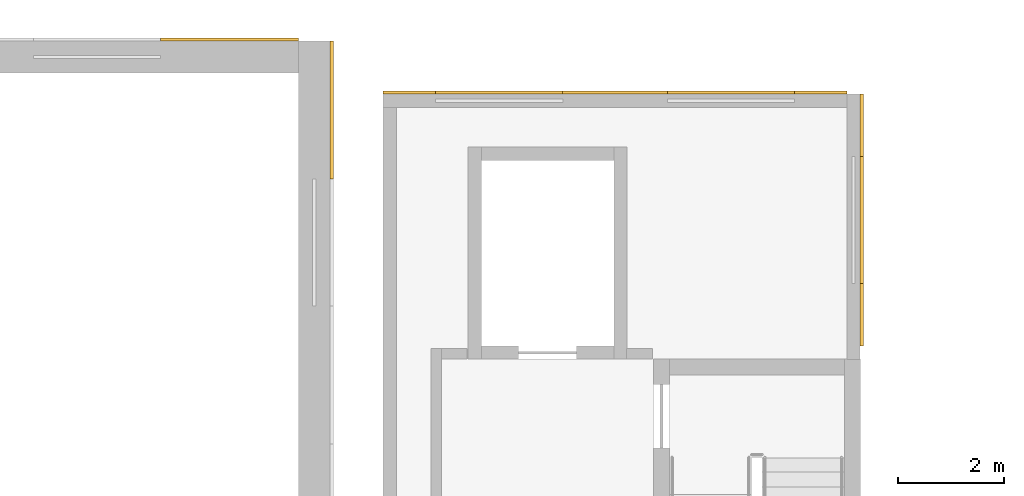
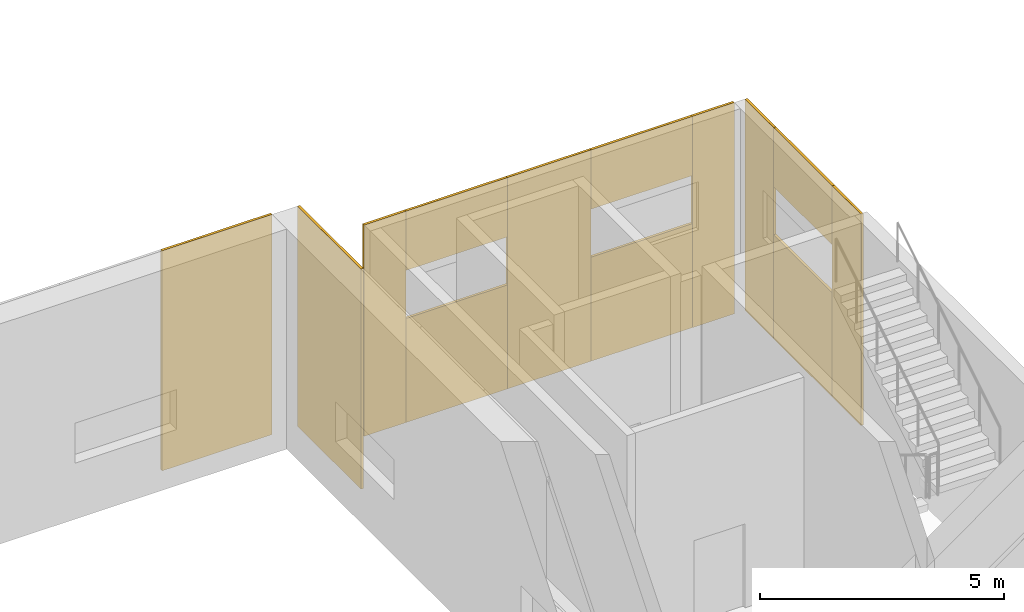
# One storey, part 74 of 87: 13 coverings.
"""IFC4 building model written with IfcOpenShell, lengths in metres."""

import ifcopenshell
import ifcopenshell.guid

model = None  # the IFC model being written
_history = None  # IfcOwnerHistory: only IFC2X3 demands one
_inside = {}  # id of a spatial element -> (the spatial element, [elements in it])
_under = {}  # id of a project, library or spatial element -> (it, [spatial elements below it])
_declared = {}  # id of a project -> (the project, [libraries it declares])
_typed = {}  # id of a type object -> (the type object, [elements of that type])
_made_of = {}  # id of a material, layer set ... -> (it, [elements and type objects made of it])


def new_model(schema):
    """Start an empty IFC model of exactly this schema.

    Asked for "IFC4X3", IfcOpenShell would pick the latest addendum, in which some entities
    have other attributes; the version numbers below select the first issue.
    IFC2X3 requires an IfcOwnerHistory on every rooted entity: one is made here for all.
    """
    global model, _history
    if schema == "IFC4X3":
        model = ifcopenshell.file(schema_version=(4, 3, 0, 0))
    else:
        model = ifcopenshell.file(schema=schema)
    _inside.clear()
    _under.clear()
    _declared.clear()
    _typed.clear()
    _made_of.clear()
    _history = None
    if model.schema == "IFC2X3":
        org = make("IfcOrganization", Name="unknown")
        user = make(
            "IfcPersonAndOrganization",
            ThePerson=make("IfcPerson", FamilyName="unknown"),
            TheOrganization=org,
        )
        app = make(
            "IfcApplication",
            ApplicationDeveloper=org,
            Version="unknown",
            ApplicationFullName="unknown",
            ApplicationIdentifier="unknown",
        )
        _history = make(
            "IfcOwnerHistory",
            OwningUser=user,
            OwningApplication=app,
            ChangeAction="ADDED",
            CreationDate=0,
        )
    return model


def make(cls, **values):
    """One entity of the class cls with the attributes given. An attribute that is None is left unset."""
    return model.create_entity(
        cls, **{name: value for name, value in values.items() if value is not None}
    )


def rooted(cls, **values):
    """An entity with a GlobalId (a new one), such as an element, a storey or a relation."""
    return make(cls, GlobalId=ifcopenshell.guid.new(), OwnerHistory=_history, **values)


def si_unit(unit_type, name, prefix=None):
    """IfcSIUnit, for example si_unit("LENGTHUNIT", "METRE", prefix="MILLI")."""
    return make("IfcSIUnit", UnitType=unit_type, Prefix=prefix, Name=name)


def assignment(units):
    """IfcUnitAssignment: the units of a project."""
    return None if units is None else make("IfcUnitAssignment", Units=units)


def point(xyz):
    """IfcCartesianPoint."""
    return None if xyz is None else make("IfcCartesianPoint", Coordinates=xyz)


def direction(xyz):
    """IfcDirection."""
    return None if xyz is None else make("IfcDirection", DirectionRatios=xyz)


def frame(location, z_axis=None, x_axis=None):
    """IfcAxis2Placement3D, a coordinate frame: its origin and axes. An axis left out is left unset."""
    return make(
        "IfcAxis2Placement3D",
        Location=point(location),
        Axis=direction(z_axis),
        RefDirection=direction(x_axis),
    )


def frame_2d(location, x_axis=None):
    """IfcAxis2Placement2D, a coordinate frame in the plane: its origin and x axis."""
    return make(
        "IfcAxis2Placement2D", Location=point(location), RefDirection=direction(x_axis)
    )


def origin():
    """The frame at (0, 0, 0) with its axes left unset."""
    return frame((0.0, 0.0, 0.0))


def origin_2d():
    """The frame at (0, 0) in the plane with its x axis left unset."""
    return frame_2d((0.0, 0.0))


def place(relative_to, where):
    """IfcLocalPlacement: puts the frame where relative to a parent placement (None: the world)."""
    return make(
        "IfcLocalPlacement", PlacementRelTo=relative_to, RelativePlacement=where
    )


def context(
    kind, dimensions, precision=None, world=None, true_north=None, identifier=None
):
    """IfcGeometricRepresentationContext, for example the 3D "Model" context."""
    return make(
        "IfcGeometricRepresentationContext",
        ContextIdentifier=identifier,
        ContextType=kind,
        CoordinateSpaceDimension=dimensions,
        Precision=precision,
        WorldCoordinateSystem=world,
        TrueNorth=true_north,
    )


def subcontext(parent, identifier, kind, view, scale=None):
    """IfcGeometricRepresentationSubContext, for example "Body" below "Model"."""
    return make(
        "IfcGeometricRepresentationSubContext",
        ContextIdentifier=identifier,
        ContextType=kind,
        ParentContext=parent,
        TargetScale=scale,
        TargetView=view,
    )


def project(units=None, contexts=None):
    """IfcProject with its units and contexts."""
    return rooted(
        "IfcProject",
        Name="project",
        RepresentationContexts=contexts,
        UnitsInContext=assignment(units),
    )


def spatial(cls, under=None, at=None, **own):
    """A site, building, storey or space (cls), placed at a placement, below another one or the project."""
    s = rooted(cls, ObjectPlacement=at, **own)
    if under is not None:
        _under.setdefault(under.id(), (under, []))[1].append(s)
    return s


def profile(cls, at=None, kind="AREA", **sizes):
    """A parametric profile (cls). Its sizes go by their IFC names, for example OverallWidth=200.0."""
    return make(cls, ProfileType=kind, Position=at, **sizes)


def rectangle(**sizes):
    """IfcRectangleProfileDef."""
    return profile("IfcRectangleProfileDef", **sizes)


def extrude(swept, where, along, depth):
    """IfcExtrudedAreaSolid: the profile swept, set in the frame where, extruded along a direction by depth."""
    return make(
        "IfcExtrudedAreaSolid",
        SweptArea=swept,
        Position=where,
        ExtrudedDirection=direction(along),
        Depth=depth,
    )


def shape(context_of_items, identifier, shape_type, items):
    """IfcShapeRepresentation: the items that make up one representation, for example the "Body"."""
    return make(
        "IfcShapeRepresentation",
        ContextOfItems=context_of_items,
        RepresentationIdentifier=identifier,
        RepresentationType=shape_type,
        Items=items,
    )


def material(Name=None, Category=None):
    """IfcMaterial."""
    return make("IfcMaterial", Name=Name, Category=Category)


def layer(
    of_material, thickness, ventilated=None, Name=None, Category=None, Priority=None
):
    """IfcMaterialLayer: one layer of a wall or slab, of a material (None: an air gap)."""
    return make(
        "IfcMaterialLayer",
        Material=of_material,
        LayerThickness=thickness,
        IsVentilated=ventilated,
        Name=Name,
        Category=Category,
        Priority=Priority,
    )


def layer_set(layers, Name=None):
    """IfcMaterialLayerSet."""
    return make("IfcMaterialLayerSet", MaterialLayers=layers, LayerSetName=Name)


def made_of(thing, what):
    """Note that an element or type object is made of a material, layer set ...; save() writes the relation."""
    if what is not None:
        _made_of.setdefault(what.id(), (what, []))[1].append(thing)
    return thing


def type_object(cls, material=None, **own):
    """A type object (cls), such as IfcWallType, which elements share."""
    return made_of(rooted(cls, **own), material)


def element(
    cls,
    number,
    at=None,
    inside=None,
    cuts=None,
    type_object=None,
    material=None,
    context=None,
    identifier="Body",
    shape_type=None,
    held_by="IfcProductDefinitionShape",
    body=None,
    shapes=None,
    **own,
):
    """One element of the class cls, such as IfcWall. Its Tag is "e" and its number.

    at: its placement. inside: the storey or other place that contains it. cuts: it is an
    opening in that element (IfcRelVoidsElement). A single representation is given by context,
    identifier, shape_type and body (its items); several are given by shapes. held_by: the class
    of the entity that holds the representations. save() writes the other relations.
    """
    e = rooted(cls, Tag="e%d" % number, ObjectPlacement=at, **own)
    if body is not None:
        shapes = [shape(context, identifier, shape_type, body)]
    if shapes is not None:
        e.Representation = make(held_by, Representations=shapes)
    if inside is not None:
        _inside.setdefault(inside.id(), (inside, []))[1].append(e)
    if cuts is not None:
        rooted(
            "IfcRelVoidsElement", RelatingBuildingElement=cuts, RelatedOpeningElement=e
        )
    if type_object is not None:
        _typed.setdefault(type_object.id(), (type_object, []))[1].append(e)
    return made_of(e, material)


def aggregate(whole, parts):
    """IfcRelAggregates: a whole, such as a stair, and the parts it consists of."""
    return rooted("IfcRelAggregates", RelatingObject=whole, RelatedObjects=parts)


def save(model, path):
    """Write the relations noted so far, then the file.

    IfcRelAggregates (storeys below a building ...), IfcRelContainedInSpatialStructure (elements
    in a storey), IfcRelDefinesByType, IfcRelAssociatesMaterial and IfcRelDeclares: one each for
    every whole, place, type object, material and project.
    """
    for whole, parts in _under.values():
        aggregate(whole, parts)
    for where, things in _inside.values():
        rooted(
            "IfcRelContainedInSpatialStructure",
            RelatedElements=things,
            RelatingStructure=where,
        )
    for kind, things in _typed.values():
        rooted("IfcRelDefinesByType", RelatedObjects=things, RelatingType=kind)
    for what, things in _made_of.values():
        rooted("IfcRelAssociatesMaterial", RelatedObjects=things, RelatingMaterial=what)
    for by, libraries in _declared.values():
        rooted("IfcRelDeclares", RelatingContext=by, RelatedDefinitions=libraries)
    model.write(path)


model = new_model("IFC4")

# Units and contexts
model_context = context("Model", 3, precision=1e-05, world=origin(), true_north=direction((0.0, 1.0)))
body_context = subcontext(model_context, "Body", "Model", "MODEL_VIEW")
ifc_project = project(units=[si_unit("LENGTHUNIT", "METRE"), si_unit("AREAUNIT", "SQUARE_METRE"), si_unit("VOLUMEUNIT", "CUBIC_METRE"), si_unit("PLANEANGLEUNIT", "RADIAN"), si_unit("MASSUNIT", "GRAM", prefix="KILO")], contexts=[model_context])

# Site, building, storey
site_placement = place(None, origin())
site = spatial("IfcSite", under=ifc_project, at=site_placement, CompositionType="ELEMENT")
building_placement = place(site_placement, origin())
building = spatial("IfcBuilding", under=site, at=building_placement, Name="Lunette Opera House", CompositionType="ELEMENT")
storey_placement = place(building_placement, frame((0.0, 0.0, 11.5)))
storey = spatial("IfcBuildingStorey", under=building, at=storey_placement, Name="L02", CompositionType="ELEMENT", Elevation=11.5)

# Coverings
ifc_material = material(Name="Aluminium standing seam cladding", Category="aluminium")
ifc_layer = layer(ifc_material, 0.06005859375)
ifc_layer_set = layer_set([ifc_layer], Name="Aluminium standing seam cladding")
covering_type = type_object("IfcCoveringType", Name="STANDING SEAM CLADDING 60", PredefinedType="CLADDING", material=ifc_layer_set)
for number, where, z_axis, x_axis, name in (
    (1, (108.030029296875, 134.699951171875, 0.0), (0.0, 0.0, 1.0), (0.0, 1.0, 0.0), "Standing seam cladding SR-E-1 L02 40"),
    (2, (106.10009765625, 136.030029296875, 0.0), (0.0, 0.0, 1.0), (1.0, 0.0, 0.0), "Standing seam cladding SR-N-1 L02 60"),
):
    element("IfcCovering", number, at=place(storey_placement, frame(where, z_axis=z_axis, x_axis=x_axis)), inside=storey, type_object=covering_type, Name=name, PredefinedType="CLADDING", context=body_context, shape_type="SweptSolid", body=[
        extrude(rectangle(XDim=2.60009765625, YDim=0.06005859375, at=origin_2d()), origin(), (0.0, 0.0, 1.0), 5.5),
    ])
covering_1_placement = place(storey_placement, frame((118.030029296875, 130.837890625, 0.0), z_axis=(0.0, 0.0, 1.0), x_axis=(0.0, 1.0, 0.0)))
element("IfcCovering", 3, at=covering_1_placement, inside=storey, type_object=covering_type, Name="Standing seam cladding TE17 L02 00", PredefinedType="CLADDING", context=body_context, shape_type="SweptSolid", body=[
    extrude(rectangle(XDim=1.175048828125, YDim=0.06005859375, at=origin_2d()), origin(), (0.0, 0.0, 1.0), 5.280029296875),
])
covering_2_placement = place(storey_placement, frame((118.030029296875, 132.625, 0.0), z_axis=(0.0, 0.0, 1.0), x_axis=(0.0, 1.0, 0.0)))
element("IfcCovering", 4, at=covering_2_placement, inside=storey, type_object=covering_type, Name="Standing seam cladding TE17 L02 10", PredefinedType="CLADDING", context=body_context, shape_type="SweptSolid", body=[
    extrude(rectangle(XDim=2.39990234375, YDim=0.06005859375, at=origin_2d()), origin(), (0.0, 0.0, 1.0), 2.60009765625),
])
covering_3_placement = place(storey_placement, frame((118.030029296875, 132.625, 3.800048828125), z_axis=(0.0, 0.0, 1.0), x_axis=(0.0, 1.0, 0.0)))
element("IfcCovering", 5, at=covering_3_placement, inside=storey, type_object=covering_type, Name="Standing seam cladding TE17 L02 11", PredefinedType="CLADDING", context=body_context, shape_type="SweptSolid", body=[
    extrude(rectangle(XDim=2.39990234375, YDim=0.06005859375, at=origin_2d()), origin(), (0.0, 0.0, 1.0), 1.47998046875),
])
covering_4_placement = place(storey_placement, frame((118.030029296875, 134.412109375, 0.0), z_axis=(0.0, 0.0, 1.0), x_axis=(0.0, 1.0, 0.0)))
element("IfcCovering", 6, at=covering_4_placement, inside=storey, type_object=covering_type, Name="Standing seam cladding TE17 L02 20", PredefinedType="CLADDING", context=body_context, shape_type="SweptSolid", body=[
    extrude(rectangle(XDim=1.175048828125, YDim=0.06005859375, at=origin_2d()), origin(), (0.0, 0.0, 1.0), 5.280029296875),
])
covering_5_placement = place(storey_placement, frame((117.256103515625, 135.030029296875, 0.0), z_axis=(0.0, 0.0, 1.0), x_axis=(-1.0, 0.0, 0.0)))
element("IfcCovering", 7, at=covering_5_placement, inside=storey, type_object=covering_type, Name="Standing seam cladding TE18 L02 00", PredefinedType="CLADDING", context=body_context, shape_type="SweptSolid", body=[
    extrude(rectangle(XDim=0.988037109375, YDim=0.06005859375, at=origin_2d()), origin(), (0.0, 0.0, 1.0), 5.280029296875),
])
covering_6_placement = place(storey_placement, frame((115.56201171875, 135.030029296875, 0.0), z_axis=(0.0, 0.0, 1.0), x_axis=(-1.0, 0.0, 0.0)))
element("IfcCovering", 8, at=covering_6_placement, inside=storey, type_object=covering_type, Name="Standing seam cladding TE18 L02 10", PredefinedType="CLADDING", context=body_context, shape_type="SweptSolid", body=[
    extrude(rectangle(XDim=2.39990234375, YDim=0.06005859375, at=origin_2d()), origin(), (0.0, 0.0, 1.0), 2.60009765625),
])
covering_7_placement = place(storey_placement, frame((115.56201171875, 135.030029296875, 3.800048828125), z_axis=(0.0, 0.0, 1.0), x_axis=(-1.0, 0.0, 0.0)))
element("IfcCovering", 9, at=covering_7_placement, inside=storey, type_object=covering_type, Name="Standing seam cladding TE18 L02 11", PredefinedType="CLADDING", context=body_context, shape_type="SweptSolid", body=[
    extrude(rectangle(XDim=2.39990234375, YDim=0.06005859375, at=origin_2d()), origin(), (0.0, 0.0, 1.0), 1.47998046875),
])
covering_8_placement = place(storey_placement, frame((113.375, 135.030029296875, 0.0), z_axis=(0.0, 0.0, 1.0), x_axis=(-1.0, 0.0, 0.0)))
element("IfcCovering", 10, at=covering_8_placement, inside=storey, type_object=covering_type, Name="Standing seam cladding TE18 L02 20", PredefinedType="CLADDING", context=body_context, shape_type="SweptSolid", body=[
    extrude(rectangle(XDim=1.97509765625, YDim=0.06005859375, at=origin_2d()), origin(), (0.0, 0.0, 1.0), 5.280029296875),
])
covering_9_placement = place(storey_placement, frame((111.18798828125, 135.030029296875, 0.0), z_axis=(0.0, 0.0, 1.0), x_axis=(-1.0, 0.0, 0.0)))
element("IfcCovering", 11, at=covering_9_placement, inside=storey, type_object=covering_type, Name="Standing seam cladding TE18 L02 30", PredefinedType="CLADDING", context=body_context, shape_type="SweptSolid", body=[
    extrude(rectangle(XDim=2.39990234375, YDim=0.06005859375, at=origin_2d()), origin(), (0.0, 0.0, 1.0), 2.60009765625),
])
covering_10_placement = place(storey_placement, frame((111.18798828125, 135.030029296875, 3.800048828125), z_axis=(0.0, 0.0, 1.0), x_axis=(-1.0, 0.0, 0.0)))
element("IfcCovering", 12, at=covering_10_placement, inside=storey, type_object=covering_type, Name="Standing seam cladding TE18 L02 31", PredefinedType="CLADDING", context=body_context, shape_type="SweptSolid", body=[
    extrude(rectangle(XDim=2.39990234375, YDim=0.06005859375, at=origin_2d()), origin(), (0.0, 0.0, 1.0), 1.47998046875),
])
covering_11_placement = place(storey_placement, frame((109.493896484375, 135.030029296875, 0.0), z_axis=(0.0, 0.0, 1.0), x_axis=(-1.0, 0.0, 0.0)))
element("IfcCovering", 13, at=covering_11_placement, inside=storey, type_object=covering_type, Name="Standing seam cladding TE18 L02 40", PredefinedType="CLADDING", context=body_context, shape_type="SweptSolid", body=[
    extrude(rectangle(XDim=0.987060546875, YDim=0.06005859375, at=origin_2d()), origin(), (0.0, 0.0, 1.0), 5.280029296875),
])

save(model, "model.ifc")
